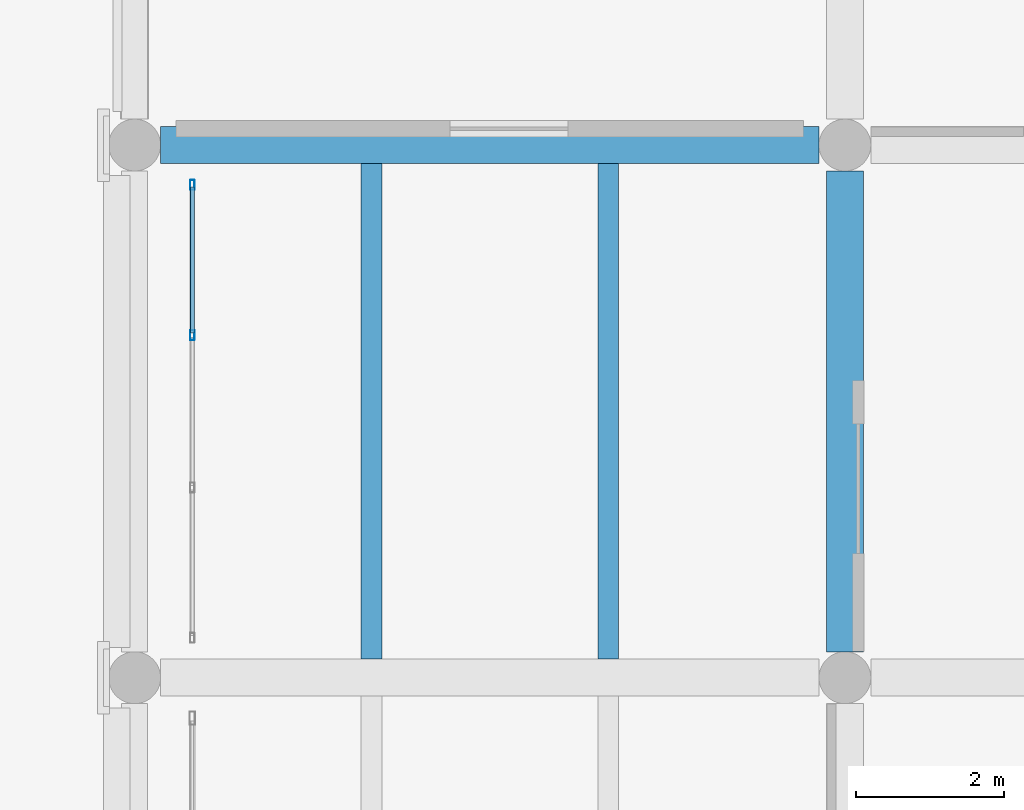
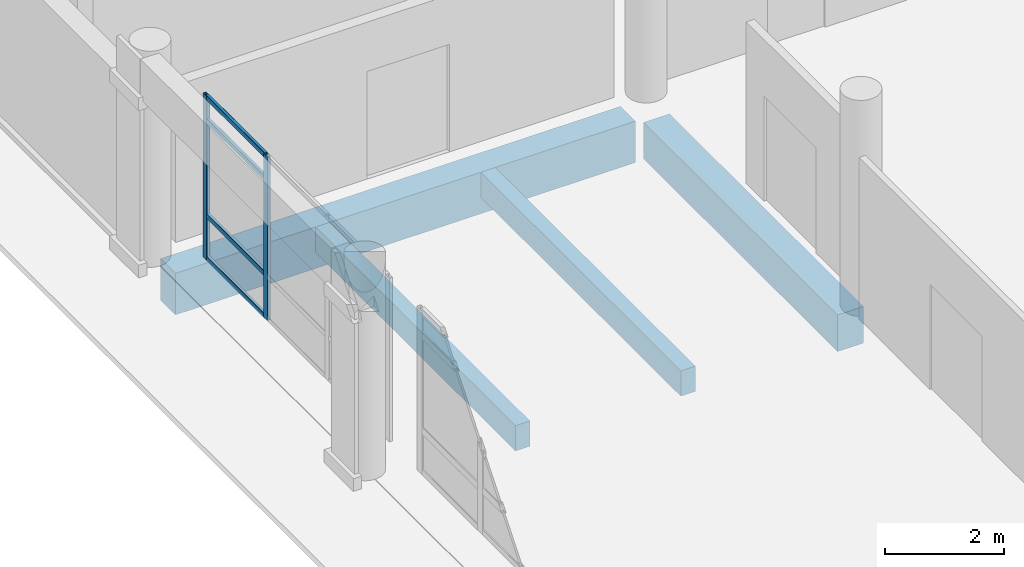
# One storey, part 28 of 196: 6 members, 4 beams, 1 element without a shape of its own.
"""IFC4 building model written with IfcOpenShell, lengths in metres."""

import ifcopenshell
import ifcopenshell.guid

model = None  # the IFC model being written
_history = None  # IfcOwnerHistory: only IFC2X3 demands one
_inside = {}  # id of a spatial element -> (the spatial element, [elements in it])
_under = {}  # id of a project, library or spatial element -> (it, [spatial elements below it])
_declared = {}  # id of a project -> (the project, [libraries it declares])
_typed = {}  # id of a type object -> (the type object, [elements of that type])
_made_of = {}  # id of a material, layer set ... -> (it, [elements and type objects made of it])


def new_model(schema):
    """Start an empty IFC model of exactly this schema.

    Asked for "IFC4X3", IfcOpenShell would pick the latest addendum, in which some entities
    have other attributes; the version numbers below select the first issue.
    IFC2X3 requires an IfcOwnerHistory on every rooted entity: one is made here for all.
    """
    global model, _history
    if schema == "IFC4X3":
        model = ifcopenshell.file(schema_version=(4, 3, 0, 0))
    else:
        model = ifcopenshell.file(schema=schema)
    _inside.clear()
    _under.clear()
    _declared.clear()
    _typed.clear()
    _made_of.clear()
    _history = None
    if model.schema == "IFC2X3":
        org = make("IfcOrganization", Name="unknown")
        user = make(
            "IfcPersonAndOrganization",
            ThePerson=make("IfcPerson", FamilyName="unknown"),
            TheOrganization=org,
        )
        app = make(
            "IfcApplication",
            ApplicationDeveloper=org,
            Version="unknown",
            ApplicationFullName="unknown",
            ApplicationIdentifier="unknown",
        )
        _history = make(
            "IfcOwnerHistory",
            OwningUser=user,
            OwningApplication=app,
            ChangeAction="ADDED",
            CreationDate=0,
        )
    return model


def make(cls, **values):
    """One entity of the class cls with the attributes given. An attribute that is None is left unset."""
    return model.create_entity(
        cls, **{name: value for name, value in values.items() if value is not None}
    )


def rooted(cls, **values):
    """An entity with a GlobalId (a new one), such as an element, a storey or a relation."""
    return make(cls, GlobalId=ifcopenshell.guid.new(), OwnerHistory=_history, **values)


def si_unit(unit_type, name, prefix=None):
    """IfcSIUnit, for example si_unit("LENGTHUNIT", "METRE", prefix="MILLI")."""
    return make("IfcSIUnit", UnitType=unit_type, Prefix=prefix, Name=name)


def assignment(units):
    """IfcUnitAssignment: the units of a project."""
    return None if units is None else make("IfcUnitAssignment", Units=units)


def point(xyz):
    """IfcCartesianPoint."""
    return None if xyz is None else make("IfcCartesianPoint", Coordinates=xyz)


def direction(xyz):
    """IfcDirection."""
    return None if xyz is None else make("IfcDirection", DirectionRatios=xyz)


def frame(location, z_axis=None, x_axis=None):
    """IfcAxis2Placement3D, a coordinate frame: its origin and axes. An axis left out is left unset."""
    return make(
        "IfcAxis2Placement3D",
        Location=point(location),
        Axis=direction(z_axis),
        RefDirection=direction(x_axis),
    )


def frame_2d(location, x_axis=None):
    """IfcAxis2Placement2D, a coordinate frame in the plane: its origin and x axis."""
    return make(
        "IfcAxis2Placement2D", Location=point(location), RefDirection=direction(x_axis)
    )


def origin():
    """The frame at (0, 0, 0) with its axes left unset."""
    return frame((0.0, 0.0, 0.0))


def origin_2d():
    """The frame at (0, 0) in the plane with its x axis left unset."""
    return frame_2d((0.0, 0.0))


def place(relative_to, where):
    """IfcLocalPlacement: puts the frame where relative to a parent placement (None: the world)."""
    return make(
        "IfcLocalPlacement", PlacementRelTo=relative_to, RelativePlacement=where
    )


def context(
    kind, dimensions, precision=None, world=None, true_north=None, identifier=None
):
    """IfcGeometricRepresentationContext, for example the 3D "Model" context."""
    return make(
        "IfcGeometricRepresentationContext",
        ContextIdentifier=identifier,
        ContextType=kind,
        CoordinateSpaceDimension=dimensions,
        Precision=precision,
        WorldCoordinateSystem=world,
        TrueNorth=true_north,
    )


def subcontext(parent, identifier, kind, view, scale=None):
    """IfcGeometricRepresentationSubContext, for example "Body" below "Model"."""
    return make(
        "IfcGeometricRepresentationSubContext",
        ContextIdentifier=identifier,
        ContextType=kind,
        ParentContext=parent,
        TargetScale=scale,
        TargetView=view,
    )


def project(units=None, contexts=None):
    """IfcProject with its units and contexts."""
    return rooted(
        "IfcProject",
        Name="project",
        RepresentationContexts=contexts,
        UnitsInContext=assignment(units),
    )


def spatial(cls, under=None, at=None, **own):
    """A site, building, storey or space (cls), placed at a placement, below another one or the project."""
    s = rooted(cls, ObjectPlacement=at, **own)
    if under is not None:
        _under.setdefault(under.id(), (under, []))[1].append(s)
    return s


def profile(cls, at=None, kind="AREA", **sizes):
    """A parametric profile (cls). Its sizes go by their IFC names, for example OverallWidth=200.0."""
    return make(cls, ProfileType=kind, Position=at, **sizes)


def rectangle(**sizes):
    """IfcRectangleProfileDef."""
    return profile("IfcRectangleProfileDef", **sizes)


def hollow_rectangle(**sizes):
    """IfcRectangleHollowProfileDef."""
    return profile("IfcRectangleHollowProfileDef", **sizes)


def extrude(swept, where, along, depth):
    """IfcExtrudedAreaSolid: the profile swept, set in the frame where, extruded along a direction by depth."""
    return make(
        "IfcExtrudedAreaSolid",
        SweptArea=swept,
        Position=where,
        ExtrudedDirection=direction(along),
        Depth=depth,
    )


def shape(context_of_items, identifier, shape_type, items):
    """IfcShapeRepresentation: the items that make up one representation, for example the "Body"."""
    return make(
        "IfcShapeRepresentation",
        ContextOfItems=context_of_items,
        RepresentationIdentifier=identifier,
        RepresentationType=shape_type,
        Items=items,
    )


def material(Name=None, Category=None):
    """IfcMaterial."""
    return make("IfcMaterial", Name=Name, Category=Category)


def layer(
    of_material, thickness, ventilated=None, Name=None, Category=None, Priority=None
):
    """IfcMaterialLayer: one layer of a wall or slab, of a material (None: an air gap)."""
    return make(
        "IfcMaterialLayer",
        Material=of_material,
        LayerThickness=thickness,
        IsVentilated=ventilated,
        Name=Name,
        Category=Category,
        Priority=Priority,
    )


def layer_set(layers, Name=None):
    """IfcMaterialLayerSet."""
    return make("IfcMaterialLayerSet", MaterialLayers=layers, LayerSetName=Name)


def material_profile(
    of_material, cross_section, Name=None, Category=None, Priority=None
):
    """IfcMaterialProfile: a cross section and its material."""
    return make(
        "IfcMaterialProfile",
        Name=Name,
        Material=of_material,
        Profile=cross_section,
        Priority=Priority,
        Category=Category,
    )


def profile_set(profiles, Name=None, composite=None):
    """IfcMaterialProfileSet."""
    return make(
        "IfcMaterialProfileSet",
        Name=Name,
        MaterialProfiles=profiles,
        CompositeProfile=composite,
    )


def made_of(thing, what):
    """Note that an element or type object is made of a material, layer set ...; save() writes the relation."""
    if what is not None:
        _made_of.setdefault(what.id(), (what, []))[1].append(thing)
    return thing


def type_object(cls, material=None, **own):
    """A type object (cls), such as IfcWallType, which elements share."""
    return made_of(rooted(cls, **own), material)


def element(
    cls,
    number,
    at=None,
    inside=None,
    cuts=None,
    type_object=None,
    material=None,
    context=None,
    identifier="Body",
    shape_type=None,
    held_by="IfcProductDefinitionShape",
    body=None,
    shapes=None,
    **own,
):
    """One element of the class cls, such as IfcWall. Its Tag is "e" and its number.

    at: its placement. inside: the storey or other place that contains it. cuts: it is an
    opening in that element (IfcRelVoidsElement). A single representation is given by context,
    identifier, shape_type and body (its items); several are given by shapes. held_by: the class
    of the entity that holds the representations. save() writes the other relations.
    """
    e = rooted(cls, Tag="e%d" % number, ObjectPlacement=at, **own)
    if body is not None:
        shapes = [shape(context, identifier, shape_type, body)]
    if shapes is not None:
        e.Representation = make(held_by, Representations=shapes)
    if inside is not None:
        _inside.setdefault(inside.id(), (inside, []))[1].append(e)
    if cuts is not None:
        rooted(
            "IfcRelVoidsElement", RelatingBuildingElement=cuts, RelatedOpeningElement=e
        )
    if type_object is not None:
        _typed.setdefault(type_object.id(), (type_object, []))[1].append(e)
    return made_of(e, material)


def aggregate(whole, parts):
    """IfcRelAggregates: a whole, such as a stair, and the parts it consists of."""
    return rooted("IfcRelAggregates", RelatingObject=whole, RelatedObjects=parts)


def save(model, path):
    """Write the relations noted so far, then the file.

    IfcRelAggregates (storeys below a building ...), IfcRelContainedInSpatialStructure (elements
    in a storey), IfcRelDefinesByType, IfcRelAssociatesMaterial and IfcRelDeclares: one each for
    every whole, place, type object, material and project.
    """
    for whole, parts in _under.values():
        aggregate(whole, parts)
    for where, things in _inside.values():
        rooted(
            "IfcRelContainedInSpatialStructure",
            RelatedElements=things,
            RelatingStructure=where,
        )
    for kind, things in _typed.values():
        rooted("IfcRelDefinesByType", RelatedObjects=things, RelatingType=kind)
    for what, things in _made_of.values():
        rooted("IfcRelAssociatesMaterial", RelatedObjects=things, RelatingMaterial=what)
    for by, libraries in _declared.values():
        rooted("IfcRelDeclares", RelatingContext=by, RelatedDefinitions=libraries)
    model.write(path)


model = new_model("IFC4")

# Units and contexts
model_context = context("Model", 3, precision=1e-05, world=origin(), true_north=direction((0.0, 1.0)))
body_context = subcontext(model_context, "Body", "Model", "MODEL_VIEW")
ifc_project = project(units=[si_unit("LENGTHUNIT", "METRE"), si_unit("AREAUNIT", "SQUARE_METRE"), si_unit("VOLUMEUNIT", "CUBIC_METRE"), si_unit("PLANEANGLEUNIT", "RADIAN"), si_unit("MASSUNIT", "GRAM", prefix="KILO")], contexts=[model_context])

# Site, building, storey
site_placement = place(None, origin())
site = spatial("IfcSite", under=ifc_project, at=site_placement, CompositionType="ELEMENT")
building_placement = place(site_placement, origin())
building = spatial("IfcBuilding", under=site, at=building_placement, Name="Asteropetra Specialist Clinic", CompositionType="ELEMENT")
storey_placement = place(building_placement, origin())
storey = spatial("IfcBuildingStorey", under=building, at=storey_placement, Name="L00", CompositionType="ELEMENT", Elevation=0.0)

# Beams
ifc_material_1 = material(Name="Concrete C35/45", Category="concrete")
ifc_material_profile_1 = material_profile(ifc_material_1, rectangle(XDim=0.5, YDim=0.75, at=origin_2d()), Name="RCB 500x750")
ifc_profile_set_1 = profile_set([ifc_material_profile_1], Name="Concrete C35/45")
beam_type_1 = type_object("IfcBeamType", Name="BM-RC500x750", PredefinedType="BEAM", material=ifc_profile_set_1)
beam_1_placement = place(storey_placement, frame((9.60009765625, 12.35009765625, -0.715087890625), z_axis=(0.0, 1.0, 0.0), x_axis=(-1.0, 0.0, 0.0)))
element("IfcBeam", 1, at=beam_1_placement, inside=storey, type_object=beam_type_1, Name="Beam BBM04-0070", PredefinedType="BEAM", context=body_context, shape_type="SweptSolid", body=[
    extrude(rectangle(XDim=0.5, YDim=0.75, at=origin_2d()), origin(), (0.0, 0.0, 1.0), 6.5),
])
ifc_material_2 = material(Name="Concrete C35/45", Category="concrete")
ifc_material_profile_2 = material_profile(ifc_material_2, rectangle(XDim=0.5, YDim=0.85009765625, at=origin_2d()), Name="RCB 500x850")
ifc_profile_set_2 = profile_set([ifc_material_profile_2], Name="Concrete C35/45")
beam_type_2 = type_object("IfcBeamType", Name="BM-RC500x850", PredefinedType="BEAM", material=ifc_profile_set_2)
beam_2_placement = place(storey_placement, frame((0.35009765625, 19.199951171875, -0.764892578125), z_axis=(1.0, 0.0, 0.0), x_axis=(0.0, 1.0, 0.0)))
element("IfcBeam", 2, at=beam_2_placement, inside=storey, type_object=beam_type_2, Name="Beam BBM03-0019", PredefinedType="BEAM", context=body_context, shape_type="SweptSolid", body=[
    extrude(rectangle(XDim=0.5, YDim=0.85009765625, at=origin_2d()), origin(), (0.0, 0.0, 1.0), 8.89990234375),
])

# Curtain wall, members
ifc_material_3 = material(Name="Aluminium and low-E glass", Category="aluminium")
ifc_layer = layer(ifc_material_3, 0.179931640625)
ifc_layer_set = layer_set([ifc_layer], Name="Aluminium and low-E glass")
curtain_wall_type = type_object("IfcCurtainWallType", Name="CW-SYS-10", PredefinedType="USERDEFINED", material=ifc_layer_set)
curtain_wall_placement = place(storey_placement, origin())
curtain_wall = element("IfcCurtainWall", 3, at=curtain_wall_placement, inside=storey, type_object=curtain_wall_type, Name="Curtain Wall CW-131", ObjectType="STICK GLAZED COLONNADE", PredefinedType="USERDEFINED")
ifc_material_4 = material(Name="Aluminium 6063-T6", Category="aluminium")
ifc_material_profile_3 = material_profile(ifc_material_4, hollow_rectangle(XDim=0.06005859375, YDim=0.135009765625, WallThickness=0.00341796875, InnerFilletRadius=0.00341796875, OuterFilletRadius=0.007080078125, at=origin_2d()), Name="MUL 135x60x3.5")
ifc_profile_set_3 = profile_set([ifc_material_profile_3], Name="Aluminium 6063-T6")
member_type_1 = type_object("IfcMemberType", Name="CWM-135x60", PredefinedType="MULLION", material=ifc_profile_set_3)
member_1_placement = place(storey_placement, frame((0.780029296875, 18.659912109375, 0.0), z_axis=(0.0, 0.0, 1.0), x_axis=(1.0, 0.0, 0.0)))
member_1 = element("IfcMember", 4, at=member_1_placement, type_object=member_type_1, Name="CW-131 mullion 1", PredefinedType="MULLION", context=body_context, shape_type="SweptSolid", body=[
    extrude(hollow_rectangle(XDim=0.06005859375, YDim=0.135009765625, WallThickness=0.00341796875, InnerFilletRadius=0.00341796875, OuterFilletRadius=0.007080078125, at=origin_2d()), origin(), (0.0, 0.0, 1.0), 3.35009765625),
])
member_2_placement = place(storey_placement, frame((0.780029296875, 16.6298828125, 0.0), z_axis=(0.0, 0.0, 1.0), x_axis=(1.0, 0.0, 0.0)))
member_2 = element("IfcMember", 5, at=member_2_placement, type_object=member_type_1, Name="CW-131 mullion 2", PredefinedType="MULLION", context=body_context, shape_type="SweptSolid", body=[
    extrude(hollow_rectangle(XDim=0.06005859375, YDim=0.135009765625, WallThickness=0.00341796875, InnerFilletRadius=0.00341796875, OuterFilletRadius=0.007080078125, at=origin_2d()), origin(), (0.0, 0.0, 1.0), 3.35009765625),
])
ifc_material_5 = material(Name="Aluminium 6063-T6", Category="aluminium")
ifc_material_profile_4 = material_profile(ifc_material_5, hollow_rectangle(XDim=0.06005859375, YDim=0.10009765625, WallThickness=0.00341796875, InnerFilletRadius=0.00341796875, OuterFilletRadius=0.007080078125, at=origin_2d()), Name="TRN 100x60x3.5")
ifc_profile_set_4 = profile_set([ifc_material_profile_4], Name="Aluminium 6063-T6")
member_type_2 = type_object("IfcMemberType", Name="CWT-100x60", PredefinedType="USERDEFINED", material=ifc_profile_set_4)
member_3_placement = place(storey_placement, frame((0.780029296875, 18.6298828125, 0.030029296875), z_axis=(0.0, -1.0, 0.0), x_axis=(1.0, 0.0, 0.0)))
member_3 = element("IfcMember", 6, at=member_3_placement, type_object=member_type_2, Name="CW-131 transom 1.1", ObjectType="TRANSOM", PredefinedType="USERDEFINED", context=body_context, shape_type="SweptSolid", body=[
    extrude(hollow_rectangle(XDim=0.06005859375, YDim=0.10009765625, WallThickness=0.00341796875, InnerFilletRadius=0.00341796875, OuterFilletRadius=0.007080078125, at=origin_2d()), origin(), (0.0, 0.0, 1.0), 1.969970703125),
])
member_4_placement = place(storey_placement, frame((0.780029296875, 18.6298828125, 0.89990234375), z_axis=(0.0, -1.0, 0.0), x_axis=(1.0, 0.0, 0.0)))
member_4 = element("IfcMember", 7, at=member_4_placement, type_object=member_type_2, Name="CW-131 transom 1.2", ObjectType="TRANSOM", PredefinedType="USERDEFINED", context=body_context, shape_type="SweptSolid", body=[
    extrude(hollow_rectangle(XDim=0.06005859375, YDim=0.10009765625, WallThickness=0.00341796875, InnerFilletRadius=0.00341796875, OuterFilletRadius=0.007080078125, at=origin_2d()), origin(), (0.0, 0.0, 1.0), 1.969970703125),
])
member_5_placement = place(storey_placement, frame((0.780029296875, 18.6298828125, 2.85009765625), z_axis=(0.0, -1.0, 0.0), x_axis=(1.0, 0.0, 0.0)))
member_5 = element("IfcMember", 8, at=member_5_placement, type_object=member_type_2, Name="CW-131 transom 1.3", ObjectType="TRANSOM", PredefinedType="USERDEFINED", context=body_context, shape_type="SweptSolid", body=[
    extrude(hollow_rectangle(XDim=0.06005859375, YDim=0.10009765625, WallThickness=0.00341796875, InnerFilletRadius=0.00341796875, OuterFilletRadius=0.007080078125, at=origin_2d()), origin(), (0.0, 0.0, 1.0), 1.969970703125),
])
member_6_placement = place(storey_placement, frame((0.780029296875, 18.6298828125, 3.320068359375), z_axis=(0.0, -1.0, 0.0), x_axis=(1.0, 0.0, 0.0)))
member_6 = element("IfcMember", 9, at=member_6_placement, type_object=member_type_2, Name="CW-131 transom 1.4", ObjectType="TRANSOM", PredefinedType="USERDEFINED", context=body_context, shape_type="SweptSolid", body=[
    extrude(hollow_rectangle(XDim=0.06005859375, YDim=0.10009765625, WallThickness=0.00341796875, InnerFilletRadius=0.00341796875, OuterFilletRadius=0.007080078125, at=origin_2d()), origin(), (0.0, 0.0, 1.0), 1.969970703125),
])
aggregate(curtain_wall, [member_1, member_2, member_3, member_4, member_5, member_6])

# Beams
ifc_material_6 = material(Name="Concrete C35/45", Category="concrete")
ifc_material_profile_5 = material_profile(ifc_material_6, rectangle(XDim=0.280029296875, YDim=0.52001953125, at=origin_2d()), Name="RCJ 280x520")
ifc_profile_set_5 = profile_set([ifc_material_profile_5], Name="Concrete C35/45")
beam_type_3 = type_object("IfcBeamType", Name="JST-RC280x520", PredefinedType="JOIST", material=ifc_profile_set_5)
for number, where, z_axis, x_axis, name in (
    (10, (3.199951171875, 12.25, -0.60009765625), (0.0, 1.0, 0.0), (-1.0, 0.0, 0.0), "Joist JJST01-0076"),
    (11, (6.39990234375, 12.25, -0.60009765625), (0.0, 1.0, 0.0), (-1.0, 0.0, 0.0), "Joist JJST01-0077"),
):
    element("IfcBeam", number, at=place(storey_placement, frame(where, z_axis=z_axis, x_axis=x_axis)), inside=storey, type_object=beam_type_3, Name=name, PredefinedType="JOIST", context=body_context, shape_type="SweptSolid", body=[
        extrude(rectangle(XDim=0.280029296875, YDim=0.52001953125, at=origin_2d()), origin(), (0.0, 0.0, 1.0), 6.699951171875),
    ])

save(model, "model.ifc")
